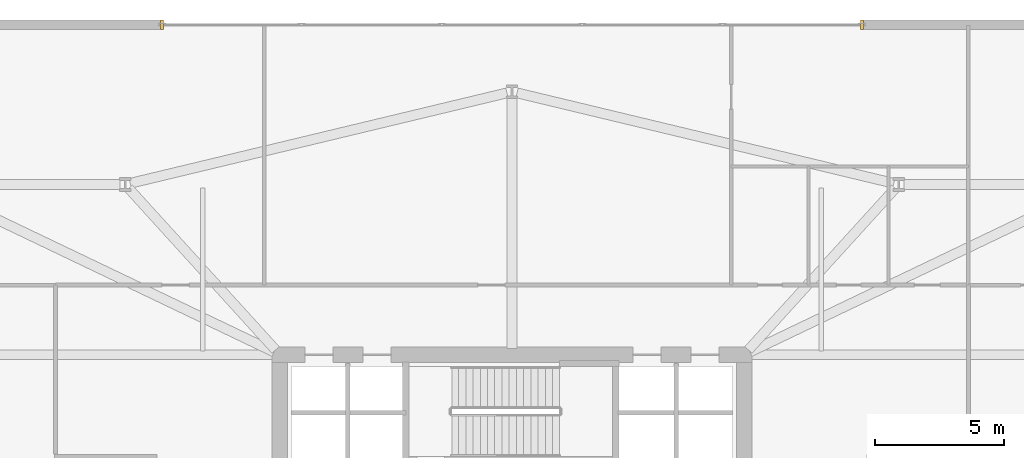
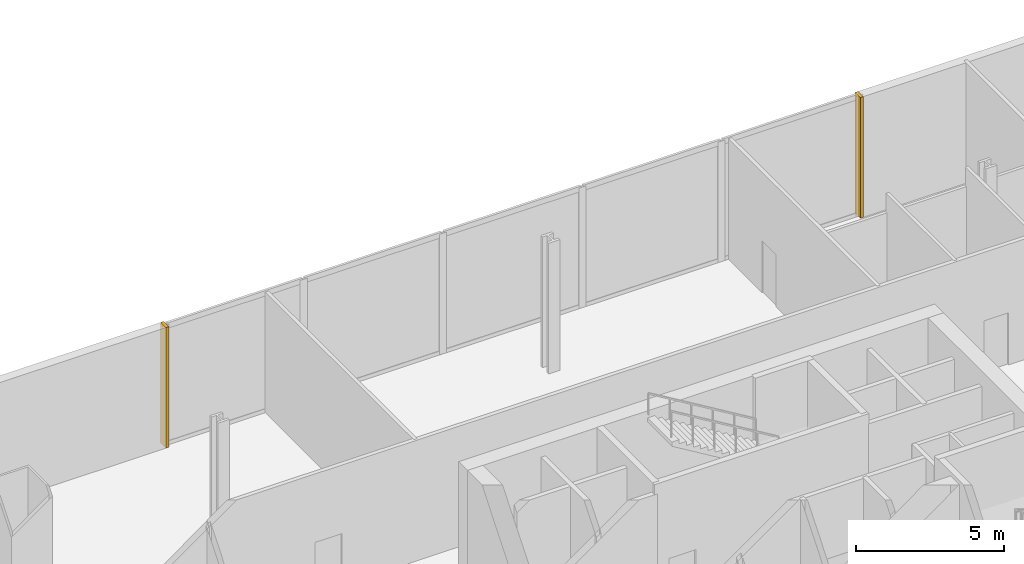
# One storey, part 16 of 16: 2 coverings.
"""IFC4 building model written with IfcOpenShell, lengths in metres."""

from ifc_helpers import new_model, si_unit, direction, frame, origin, origin_2d, place, context, subcontext, project, spatial, rectangle, extrude, source, transform, mapped, material, layer, layer_set, type_object, element, save


model = new_model("IFC4")

# Units and contexts
model_context = context("Model", 3, precision=1e-05, world=origin(), true_north=direction((0.0, 1.0)))
body_context = subcontext(model_context, "Body", "Model", "MODEL_VIEW")
ifc_project = project(units=[si_unit("LENGTHUNIT", "METRE"), si_unit("AREAUNIT", "SQUARE_METRE"), si_unit("VOLUMEUNIT", "CUBIC_METRE"), si_unit("PLANEANGLEUNIT", "RADIAN"), si_unit("MASSUNIT", "GRAM", prefix="KILO")], contexts=[model_context])

# Site, building, storey
site_placement = place(None, origin())
site = spatial("IfcSite", under=ifc_project, at=site_placement, CompositionType="ELEMENT")
building_placement = place(site_placement, origin())
building = spatial("IfcBuilding", under=site, at=building_placement, Name="Haldenkirk Collegiate Tower", CompositionType="ELEMENT")
storey_placement = place(building_placement, frame((0.0, 0.0, 16.800048828125)))
storey = spatial("IfcBuildingStorey", under=building, at=storey_placement, Name="L03", CompositionType="ELEMENT", Elevation=16.800048828125)

# Coverings
ifc_material = material(Name="Anodised architectural bronze aluminium", Category="aluminium")
ifc_layer = layer(ifc_material, 0.06005859375)
ifc_layer_set = layer_set([ifc_layer], Name="Anodised architectural bronze aluminium")
covering_type = type_object("IfcCoveringType", Name="COV-CLAD-BRONZE-60", PredefinedType="CLADDING", material=ifc_layer_set)
shared_shape = source(origin(), body_context, "Body", "SweptSolid", [
    extrude(rectangle(XDim=0.1201171875, YDim=0.360107421875, at=origin_2d()), origin(), (0.0, 0.0, 1.0), 4.97998046875),
])
for number, where, z_axis, x_axis, name in (
    (1, (22.431884765625, 46.800048828125, 0.0), (0.0, 0.0, 1.0), (1.0, 0.0, 0.0), "L03 podium curtain-wall bronze jamb closure 7JL"),
    (2, (49.568115234375, 46.800048828125, 0.0), (0.0, 0.0, 1.0), (1.0, 0.0, 0.0), "L03 podium curtain-wall bronze jamb closure 7JR"),
):
    element("IfcCovering", number, at=place(storey_placement, frame(where, z_axis=z_axis, x_axis=x_axis)), inside=storey, type_object=covering_type, Name=name, PredefinedType="CLADDING", context=body_context, shape_type="MappedRepresentation", body=[
        mapped(shared_shape, transform((0.0, 0.0, 0.0), x_axis=(1.0, 0.0, 0.0), y_axis=(0.0, 1.0, 0.0), z_axis=(0.0, 0.0, 1.0), scale=1.0)),
    ])

save(model, "model.ifc")
